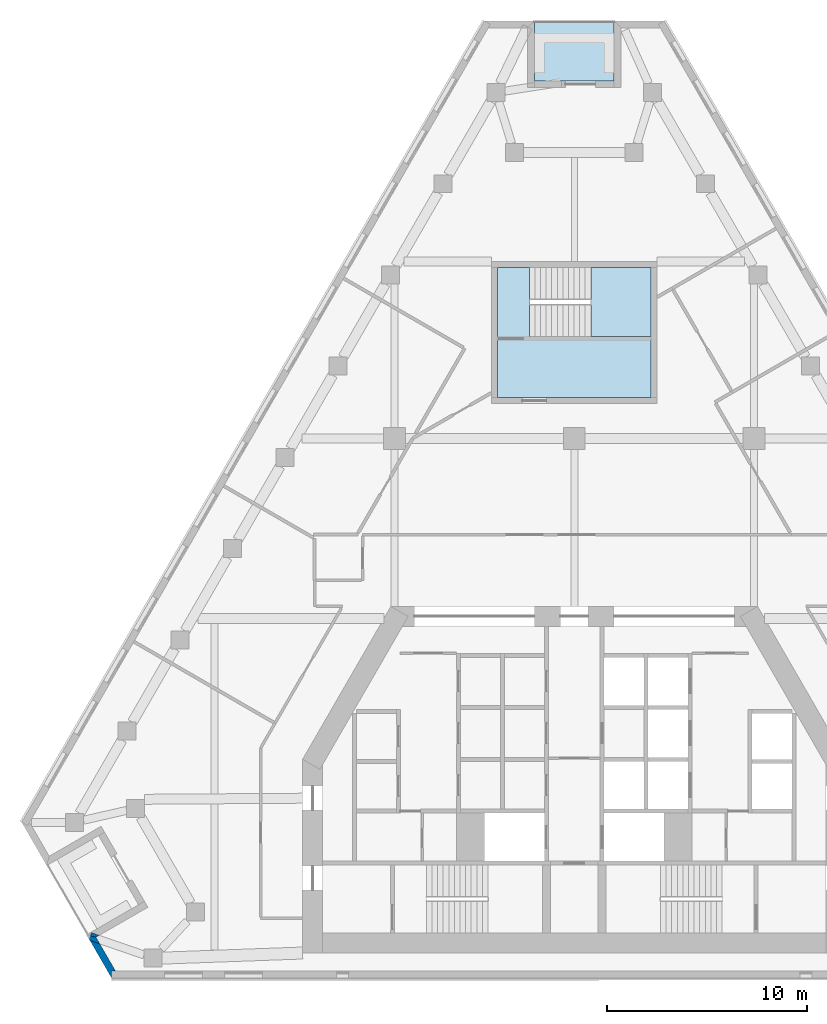
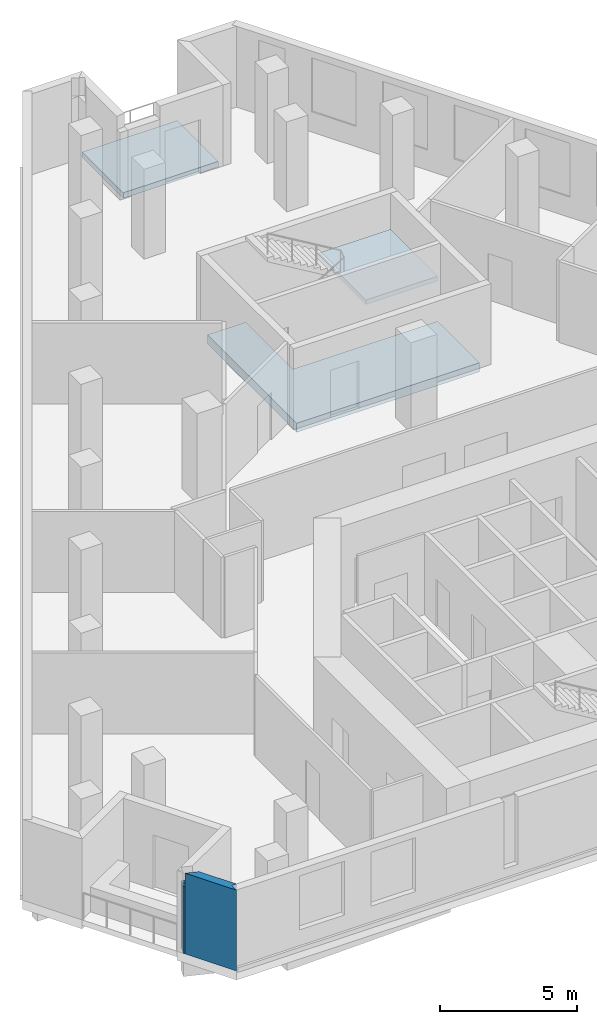
# One storey, part 2 of 9: 3 slabs, 3 walls, 1 element without a shape of its own.
"""IFC4 building model written with IfcOpenShell, lengths in metres."""

from ifc_helpers import new_model, si_unit, direction, frame, origin, place, context, subcontext, project, spatial, polyline, outline, extrude, material, layer, layer_set, type_object, element, aggregate, save


model = new_model("IFC4")

# Units and contexts
model_context = context("Model", 3, precision=1e-05, world=origin(), true_north=direction((0.0, 1.0)))
body_context = subcontext(model_context, "Body", "Model", "MODEL_VIEW")
ifc_project = project(units=[si_unit("LENGTHUNIT", "METRE"), si_unit("AREAUNIT", "SQUARE_METRE"), si_unit("VOLUMEUNIT", "CUBIC_METRE"), si_unit("PLANEANGLEUNIT", "RADIAN"), si_unit("MASSUNIT", "GRAM", prefix="KILO")], contexts=[model_context])

# Site, building, storey
site_placement = place(None, origin())
site = spatial("IfcSite", under=ifc_project, at=site_placement, CompositionType="ELEMENT")
building_placement = place(site_placement, origin())
building = spatial("IfcBuilding", under=site, at=building_placement, Name="Fogline Exchange Tower", CompositionType="ELEMENT")
storey_placement = place(building_placement, frame((0.0, 0.0, 198.10009765625)))
storey = spatial("IfcBuildingStorey", under=building, at=storey_placement, Name="L44", CompositionType="ELEMENT", Elevation=198.10009765625)

# Slabs
ifc_material_1 = material(Name="Concrete C40", Category="concrete")
ifc_layer_1 = layer(ifc_material_1, 0.25)
ifc_layer_set_1 = layer_set([ifc_layer_1], Name="DK1")
slab_type_1 = type_object("IfcSlabType", Name="DK1", PredefinedType="FLOOR", material=ifc_layer_set_1)
slab_1_placement = place(storey_placement, frame((0.0, 0.0, -0.25)))
element("IfcSlab", 1, at=slab_1_placement, inside=storey, type_object=slab_type_1, Name="Balcony L44 N", PredefinedType="FLOOR", context=body_context, shape_type="SweptSolid", body=[
    extrude(outline(polyline([(2.0, 47.90673828125), (-2.0, 47.90673828125), (-2.0, 44.90673828125), (2.0, 44.90673828125), (2.0, 47.90673828125)])), origin(), (0.0, 0.0, 1.0), 0.25),
])
ifc_layer_2 = layer(ifc_material_1, 0.39990234375)
ifc_layer_set_2 = layer_set([ifc_layer_2], Name="S03")
slab_type_2 = type_object("IfcSlabType", Name="S03", PredefinedType="FLOOR", material=ifc_layer_set_2)
slab_2_placement = place(storey_placement, frame((0.0, 0.0, -0.400146484375)))
element("IfcSlab", 2, at=slab_2_placement, inside=storey, type_object=slab_type_2, Name="Stair enclosure floor slab", PredefinedType="FLOOR", context=body_context, shape_type="SweptSolid", body=[
    extrude(outline(polyline([(3.85009765625, 29.056884765625), (-3.85009765625, 29.056884765625), (-3.85009765625, 35.556884765625), (-2.239990234375, 35.556884765625), (-2.239990234375, 32.10693359375), (3.85009765625, 32.10693359375), (3.85009765625, 29.056884765625)])), origin(), (0.0, 0.0, 1.0), 0.400146484375),
])

# Stair, slab
stair_type = type_object("IfcStairType", Name="STR24-1667", PredefinedType="HALF_TURN_STAIR", material=ifc_material_1)
stair_placement = place(storey_placement, origin())
stair = element("IfcStair", 3, at=stair_placement, inside=storey, type_object=stair_type, Name="Stair ST3", PredefinedType="HALF_TURN_STAIR")
ifc_layer_3 = layer(ifc_material_1, 0.199951171875)
ifc_layer_set_3 = layer_set([ifc_layer_3], Name="SL200")
slab_type_3 = type_object("IfcSlabType", Name="SL200", PredefinedType="LANDING", material=ifc_layer_set_3)
slab_3_placement = place(storey_placement, frame((0.0, 0.0, 1.7998046875)))
slab_3 = element("IfcSlab", 4, at=slab_3_placement, type_object=slab_type_3, Name="ST3 landing 1", PredefinedType="LANDING", context=body_context, shape_type="SweptSolid", body=[
    extrude(outline(polyline([(0.830078125, 32.10693359375), (3.85009765625, 32.10693359375), (3.85009765625, 35.556884765625), (0.830078125, 35.556884765625), (0.830078125, 32.10693359375)])), origin(), (0.0, 0.0, 1.0), 0.2001953125),
])
aggregate(stair, [slab_3])

# Walls
ifc_material_2 = material(Name="Brick masonry", Category="masonry")
ifc_layer_4 = layer(ifc_material_2, 0.340087890625)
ifc_layer_set_4 = layer_set([ifc_layer_4], Name="FW1")
wall_type = type_object("IfcWallType", Name="FW1", PredefinedType="SOLIDWALL", material=ifc_layer_set_4)
wall_1_placement = place(storey_placement, origin())
element("IfcWall", 5, at=wall_1_placement, inside=storey, type_object=wall_type, Name="Brick wall L44 SW-s2", PredefinedType="SOLIDWALL", context=body_context, shape_type="SweptSolid", body=[
    extrude(outline(polyline([(-23.9443359375, 2.0400390625), (-24.22900390625, 2.1162109375), (-24.17431640625, 2.274169921875), (-23.7763671875, 2.136962890625), (-23.9443359375, 2.0400390625)])), origin(), (0.0, 0.0, 1.0), 3.0),
])
wall_2_placement = place(storey_placement, origin())
element("IfcWall", 6, at=wall_2_placement, inside=storey, type_object=wall_type, Name="Brick wall L44 SW-c2", PredefinedType="SOLIDWALL", context=body_context, shape_type="SweptSolid", body=[
    extrude(outline(polyline([(-24.285888671875, 1.950927734375), (-24.228515625, 2.117431640625), (-23.944091796875, 2.041015625), (-23.75, 1.704833984375), (-24.24169921875, 1.87451171875), (-24.285888671875, 1.950927734375)])), origin(), (0.0, 0.0, 1.0), 3.0),
])
wall_3_placement = place(storey_placement, origin())
element("IfcWall", 7, at=wall_3_placement, inside=storey, type_object=wall_type, Name="Brick wall L44 SW-c2", PredefinedType="SOLIDWALL", context=body_context, shape_type="SweptSolid", body=[
    extrude(outline(polyline([(-23.158203125, 0.33935546875), (-23.158203125, -0.0009765625), (-23.158935546875, -0.001220703125), (-24.24169921875, 1.87451171875), (-23.75, 1.704833984375), (-22.961669921875, 0.33935546875), (-23.158203125, 0.33935546875)])), origin(), (0.0, 0.0, 1.0), 3.599853515625),
])

save(model, "model.ifc")
